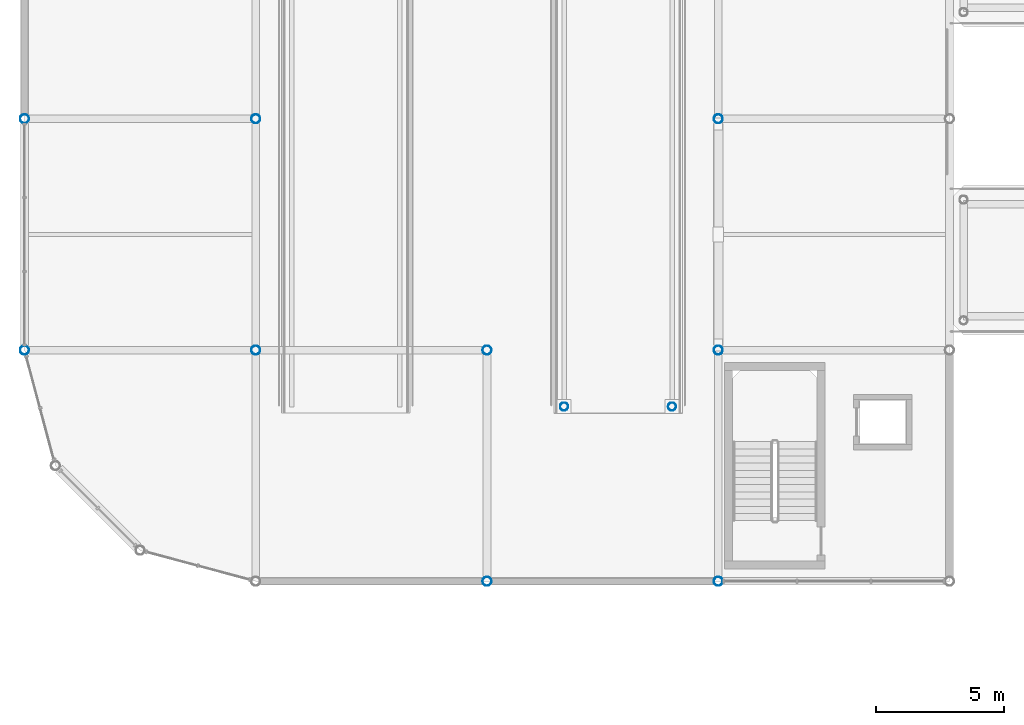
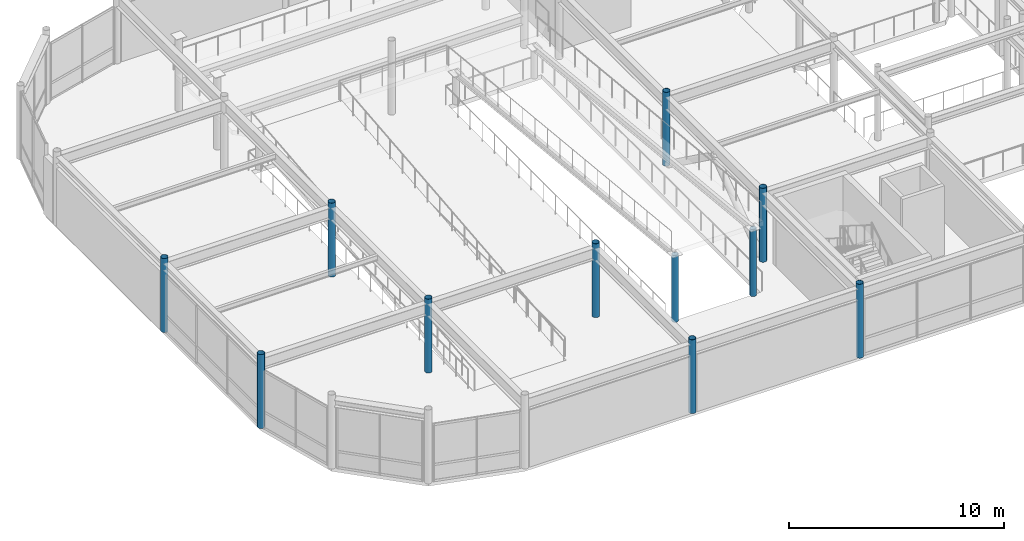
# One storey, part 2 of 70: 11 columns.
"""IFC4 building model written with IfcOpenShell, lengths in metres."""

from ifc_helpers import new_model, si_unit, direction, frame, origin, origin_2d, place, context, subcontext, project, spatial, hollow_circle, extrude, material, material_profile, profile_set, type_object, element, save


model = new_model("IFC4")

# Units and contexts
model_context = context("Model", 3, precision=1e-05, world=origin(), true_north=direction((0.0, 1.0)))
body_context = subcontext(model_context, "Body", "Model", "MODEL_VIEW")
ifc_project = project(units=[si_unit("LENGTHUNIT", "METRE"), si_unit("AREAUNIT", "SQUARE_METRE"), si_unit("VOLUMEUNIT", "CUBIC_METRE"), si_unit("PLANEANGLEUNIT", "RADIAN"), si_unit("MASSUNIT", "GRAM", prefix="KILO")], contexts=[model_context])

# Site, building, storey
site_placement = place(None, origin())
site = spatial("IfcSite", under=ifc_project, at=site_placement, CompositionType="ELEMENT")
building_placement = place(site_placement, origin())
building = spatial("IfcBuilding", under=site, at=building_placement, Name="Suzunagisa Mobility Hub", CompositionType="ELEMENT")
storey_placement = place(building_placement, frame((0.0, 0.0, 13.5)))
storey = spatial("IfcBuildingStorey", under=building, at=storey_placement, Name="L03", CompositionType="ELEMENT", Elevation=13.5)

# Columns
ifc_material = material(Name="Steel SN490B", Category="steel")
ifc_material_profile_1 = material_profile(ifc_material, hollow_circle(Radius=0.1591796875, WallThickness=0.01025390625, at=origin_2d()), Name="CHS-318.5x10.3")
ifc_profile_set_1 = profile_set([ifc_material_profile_1], Name="Steel SN490B")
column_type_1 = type_object("IfcColumnType", Name="Steel Column CL-09 CHS-318.5x10.3", PredefinedType="COLUMN", material=ifc_profile_set_1)
for number, where, z_axis, x_axis, name in (
    (1, (21.0, 86.800048828125, 0.0), (0.0, 0.0, 1.0), (1.0, 0.0, 0.0), "L03 Column 55"),
    (2, (25.199951171875, 86.800048828125, 0.0), (0.0, 0.0, 1.0), (1.0, 0.0, 0.0), "L03 Column 57"),
):
    element("IfcColumn", number, at=place(storey_placement, frame(where, z_axis=z_axis, x_axis=x_axis)), inside=storey, type_object=column_type_1, Name=name, PredefinedType="COLUMN", context=body_context, shape_type="SweptSolid", body=[
        extrude(hollow_circle(Radius=0.1591796875, WallThickness=0.01025390625, at=origin_2d()), origin(), (0.0, 0.0, 1.0), 3.800048828125),
    ])
ifc_material_profile_2 = material_profile(ifc_material, hollow_circle(Radius=0.177734375, WallThickness=0.0126953125, at=origin_2d()), Name="CHS-355.6x12.7")
ifc_profile_set_2 = profile_set([ifc_material_profile_2], Name="Steel SN490B")
column_type_2 = type_object("IfcColumnType", Name="Steel Column CL-18 CHS-355.6x12.7", PredefinedType="COLUMN", material=ifc_profile_set_2)
for number, where, z_axis, x_axis, name in (
    (3, (0.0, 89.0, 0.0), (0.0, 0.0, 1.0), (1.0, 0.0, 0.0), "L03 Column 8"),
    (4, (0.0, 98.0, 0.0), (0.0, 0.0, 1.0), (1.0, 0.0, 0.0), "L03 Column 9"),
    (5, (9.0, 89.0, 0.0), (0.0, 0.0, 1.0), (1.0, 0.0, 0.0), "L03 Column 29"),
    (6, (9.0, 98.0, 0.0), (0.0, 0.0, 1.0), (1.0, 0.0, 0.0), "L03 Column 30"),
    (7, (18.0, 80.0, 0.0), (0.0, 0.0, 1.0), (1.0, 0.0, 0.0), "L03 Column 50"),
    (8, (18.0, 89.0, 0.0), (0.0, 0.0, 1.0), (1.0, 0.0, 0.0), "L03 Column 51"),
    (9, (27.0, 80.0, 0.0), (0.0, 0.0, 1.0), (1.0, 0.0, 0.0), "L03 Column 70"),
    (10, (27.0, 89.0, 0.0), (0.0, 0.0, 1.0), (1.0, 0.0, 0.0), "L03 Column 71"),
    (11, (27.0, 98.0, 0.0), (0.0, 0.0, 1.0), (1.0, 0.0, 0.0), "L03 Column 72"),
):
    element("IfcColumn", number, at=place(storey_placement, frame(where, z_axis=z_axis, x_axis=x_axis)), inside=storey, type_object=column_type_2, Name=name, PredefinedType="COLUMN", context=body_context, shape_type="SweptSolid", body=[
        extrude(hollow_circle(Radius=0.177734375, WallThickness=0.0126953125, at=origin_2d()), origin(), (0.0, 0.0, 1.0), 4.199951171875),
    ])

save(model, "model.ifc")
